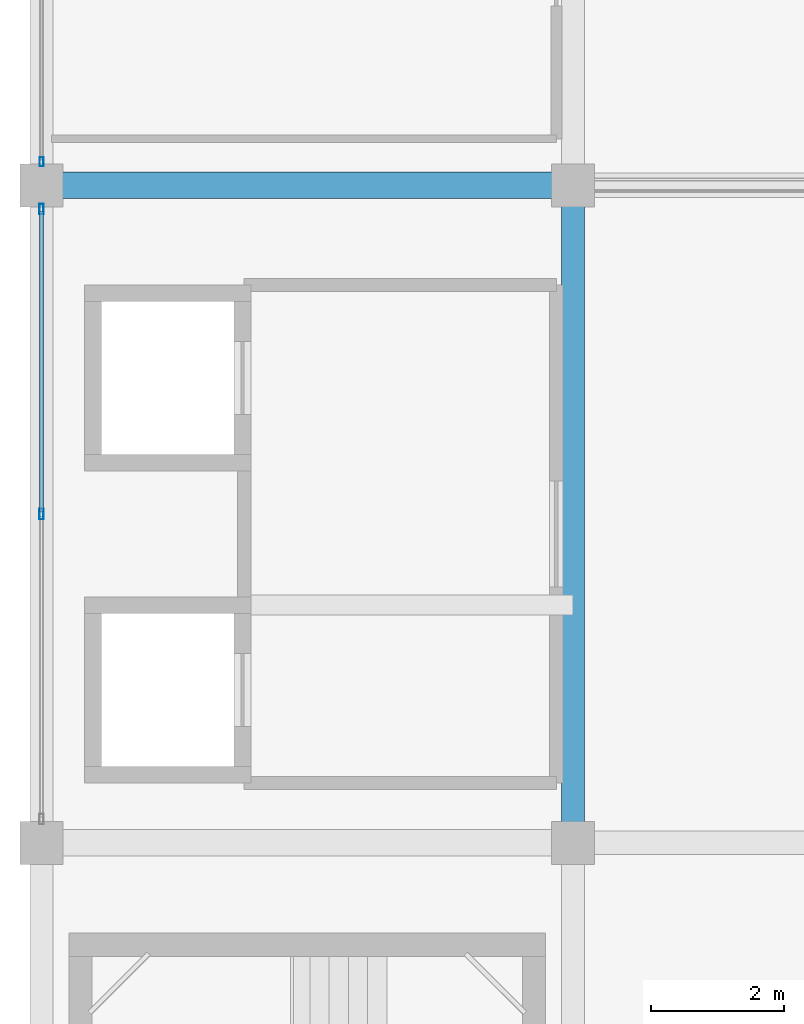
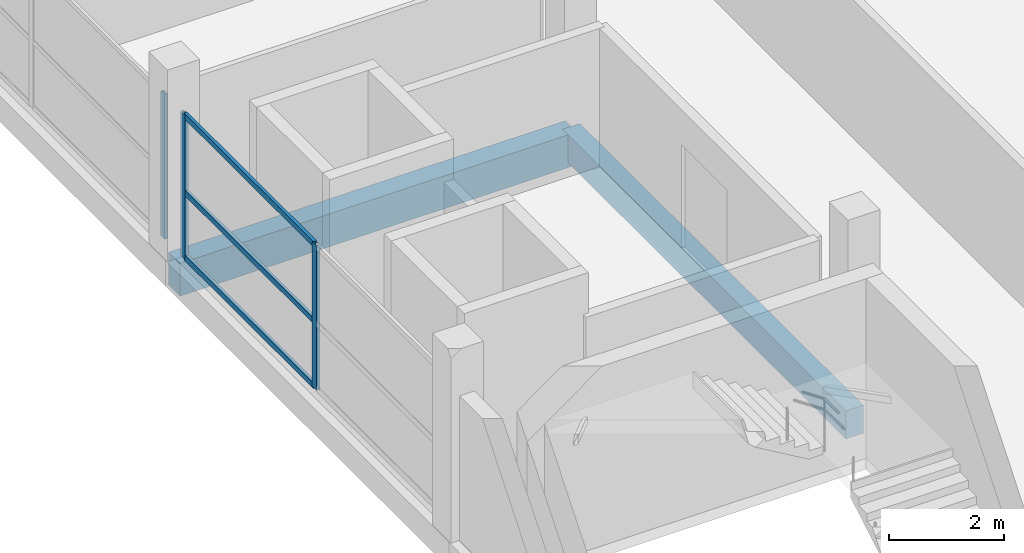
# One storey, part 8 of 70: 6 members, 2 beams, 2 elements without a shape of their own.
"""IFC4 building model written with IfcOpenShell, lengths in metres."""

import ifcopenshell
import ifcopenshell.guid

model = None  # the IFC model being written
_history = None  # IfcOwnerHistory: only IFC2X3 demands one
_inside = {}  # id of a spatial element -> (the spatial element, [elements in it])
_under = {}  # id of a project, library or spatial element -> (it, [spatial elements below it])
_declared = {}  # id of a project -> (the project, [libraries it declares])
_typed = {}  # id of a type object -> (the type object, [elements of that type])
_made_of = {}  # id of a material, layer set ... -> (it, [elements and type objects made of it])


def new_model(schema):
    """Start an empty IFC model of exactly this schema.

    Asked for "IFC4X3", IfcOpenShell would pick the latest addendum, in which some entities
    have other attributes; the version numbers below select the first issue.
    IFC2X3 requires an IfcOwnerHistory on every rooted entity: one is made here for all.
    """
    global model, _history
    if schema == "IFC4X3":
        model = ifcopenshell.file(schema_version=(4, 3, 0, 0))
    else:
        model = ifcopenshell.file(schema=schema)
    _inside.clear()
    _under.clear()
    _declared.clear()
    _typed.clear()
    _made_of.clear()
    _history = None
    if model.schema == "IFC2X3":
        org = make("IfcOrganization", Name="unknown")
        user = make(
            "IfcPersonAndOrganization",
            ThePerson=make("IfcPerson", FamilyName="unknown"),
            TheOrganization=org,
        )
        app = make(
            "IfcApplication",
            ApplicationDeveloper=org,
            Version="unknown",
            ApplicationFullName="unknown",
            ApplicationIdentifier="unknown",
        )
        _history = make(
            "IfcOwnerHistory",
            OwningUser=user,
            OwningApplication=app,
            ChangeAction="ADDED",
            CreationDate=0,
        )
    return model


def make(cls, **values):
    """One entity of the class cls with the attributes given. An attribute that is None is left unset."""
    return model.create_entity(
        cls, **{name: value for name, value in values.items() if value is not None}
    )


def rooted(cls, **values):
    """An entity with a GlobalId (a new one), such as an element, a storey or a relation."""
    return make(cls, GlobalId=ifcopenshell.guid.new(), OwnerHistory=_history, **values)


def si_unit(unit_type, name, prefix=None):
    """IfcSIUnit, for example si_unit("LENGTHUNIT", "METRE", prefix="MILLI")."""
    return make("IfcSIUnit", UnitType=unit_type, Prefix=prefix, Name=name)


def assignment(units):
    """IfcUnitAssignment: the units of a project."""
    return None if units is None else make("IfcUnitAssignment", Units=units)


def point(xyz):
    """IfcCartesianPoint."""
    return None if xyz is None else make("IfcCartesianPoint", Coordinates=xyz)


def direction(xyz):
    """IfcDirection."""
    return None if xyz is None else make("IfcDirection", DirectionRatios=xyz)


def frame(location, z_axis=None, x_axis=None):
    """IfcAxis2Placement3D, a coordinate frame: its origin and axes. An axis left out is left unset."""
    return make(
        "IfcAxis2Placement3D",
        Location=point(location),
        Axis=direction(z_axis),
        RefDirection=direction(x_axis),
    )


def frame_2d(location, x_axis=None):
    """IfcAxis2Placement2D, a coordinate frame in the plane: its origin and x axis."""
    return make(
        "IfcAxis2Placement2D", Location=point(location), RefDirection=direction(x_axis)
    )


def origin():
    """The frame at (0, 0, 0) with its axes left unset."""
    return frame((0.0, 0.0, 0.0))


def origin_2d():
    """The frame at (0, 0) in the plane with its x axis left unset."""
    return frame_2d((0.0, 0.0))


def place(relative_to, where):
    """IfcLocalPlacement: puts the frame where relative to a parent placement (None: the world)."""
    return make(
        "IfcLocalPlacement", PlacementRelTo=relative_to, RelativePlacement=where
    )


def context(
    kind, dimensions, precision=None, world=None, true_north=None, identifier=None
):
    """IfcGeometricRepresentationContext, for example the 3D "Model" context."""
    return make(
        "IfcGeometricRepresentationContext",
        ContextIdentifier=identifier,
        ContextType=kind,
        CoordinateSpaceDimension=dimensions,
        Precision=precision,
        WorldCoordinateSystem=world,
        TrueNorth=true_north,
    )


def subcontext(parent, identifier, kind, view, scale=None):
    """IfcGeometricRepresentationSubContext, for example "Body" below "Model"."""
    return make(
        "IfcGeometricRepresentationSubContext",
        ContextIdentifier=identifier,
        ContextType=kind,
        ParentContext=parent,
        TargetScale=scale,
        TargetView=view,
    )


def project(units=None, contexts=None):
    """IfcProject with its units and contexts."""
    return rooted(
        "IfcProject",
        Name="project",
        RepresentationContexts=contexts,
        UnitsInContext=assignment(units),
    )


def spatial(cls, under=None, at=None, **own):
    """A site, building, storey or space (cls), placed at a placement, below another one or the project."""
    s = rooted(cls, ObjectPlacement=at, **own)
    if under is not None:
        _under.setdefault(under.id(), (under, []))[1].append(s)
    return s


def profile(cls, at=None, kind="AREA", **sizes):
    """A parametric profile (cls). Its sizes go by their IFC names, for example OverallWidth=200.0."""
    return make(cls, ProfileType=kind, Position=at, **sizes)


def rectangle(**sizes):
    """IfcRectangleProfileDef."""
    return profile("IfcRectangleProfileDef", **sizes)


def hollow_rectangle(**sizes):
    """IfcRectangleHollowProfileDef."""
    return profile("IfcRectangleHollowProfileDef", **sizes)


def extrude(swept, where, along, depth):
    """IfcExtrudedAreaSolid: the profile swept, set in the frame where, extruded along a direction by depth."""
    return make(
        "IfcExtrudedAreaSolid",
        SweptArea=swept,
        Position=where,
        ExtrudedDirection=direction(along),
        Depth=depth,
    )


def shape(context_of_items, identifier, shape_type, items):
    """IfcShapeRepresentation: the items that make up one representation, for example the "Body"."""
    return make(
        "IfcShapeRepresentation",
        ContextOfItems=context_of_items,
        RepresentationIdentifier=identifier,
        RepresentationType=shape_type,
        Items=items,
    )


def material(Name=None, Category=None):
    """IfcMaterial."""
    return make("IfcMaterial", Name=Name, Category=Category)


def layer(
    of_material, thickness, ventilated=None, Name=None, Category=None, Priority=None
):
    """IfcMaterialLayer: one layer of a wall or slab, of a material (None: an air gap)."""
    return make(
        "IfcMaterialLayer",
        Material=of_material,
        LayerThickness=thickness,
        IsVentilated=ventilated,
        Name=Name,
        Category=Category,
        Priority=Priority,
    )


def layer_set(layers, Name=None):
    """IfcMaterialLayerSet."""
    return make("IfcMaterialLayerSet", MaterialLayers=layers, LayerSetName=Name)


def material_profile(
    of_material, cross_section, Name=None, Category=None, Priority=None
):
    """IfcMaterialProfile: a cross section and its material."""
    return make(
        "IfcMaterialProfile",
        Name=Name,
        Material=of_material,
        Profile=cross_section,
        Priority=Priority,
        Category=Category,
    )


def profile_set(profiles, Name=None, composite=None):
    """IfcMaterialProfileSet."""
    return make(
        "IfcMaterialProfileSet",
        Name=Name,
        MaterialProfiles=profiles,
        CompositeProfile=composite,
    )


def made_of(thing, what):
    """Note that an element or type object is made of a material, layer set ...; save() writes the relation."""
    if what is not None:
        _made_of.setdefault(what.id(), (what, []))[1].append(thing)
    return thing


def type_object(cls, material=None, **own):
    """A type object (cls), such as IfcWallType, which elements share."""
    return made_of(rooted(cls, **own), material)


def element(
    cls,
    number,
    at=None,
    inside=None,
    cuts=None,
    type_object=None,
    material=None,
    context=None,
    identifier="Body",
    shape_type=None,
    held_by="IfcProductDefinitionShape",
    body=None,
    shapes=None,
    **own,
):
    """One element of the class cls, such as IfcWall. Its Tag is "e" and its number.

    at: its placement. inside: the storey or other place that contains it. cuts: it is an
    opening in that element (IfcRelVoidsElement). A single representation is given by context,
    identifier, shape_type and body (its items); several are given by shapes. held_by: the class
    of the entity that holds the representations. save() writes the other relations.
    """
    e = rooted(cls, Tag="e%d" % number, ObjectPlacement=at, **own)
    if body is not None:
        shapes = [shape(context, identifier, shape_type, body)]
    if shapes is not None:
        e.Representation = make(held_by, Representations=shapes)
    if inside is not None:
        _inside.setdefault(inside.id(), (inside, []))[1].append(e)
    if cuts is not None:
        rooted(
            "IfcRelVoidsElement", RelatingBuildingElement=cuts, RelatedOpeningElement=e
        )
    if type_object is not None:
        _typed.setdefault(type_object.id(), (type_object, []))[1].append(e)
    return made_of(e, material)


def aggregate(whole, parts):
    """IfcRelAggregates: a whole, such as a stair, and the parts it consists of."""
    return rooted("IfcRelAggregates", RelatingObject=whole, RelatedObjects=parts)


def save(model, path):
    """Write the relations noted so far, then the file.

    IfcRelAggregates (storeys below a building ...), IfcRelContainedInSpatialStructure (elements
    in a storey), IfcRelDefinesByType, IfcRelAssociatesMaterial and IfcRelDeclares: one each for
    every whole, place, type object, material and project.
    """
    for whole, parts in _under.values():
        aggregate(whole, parts)
    for where, things in _inside.values():
        rooted(
            "IfcRelContainedInSpatialStructure",
            RelatedElements=things,
            RelatingStructure=where,
        )
    for kind, things in _typed.values():
        rooted("IfcRelDefinesByType", RelatedObjects=things, RelatingType=kind)
    for what, things in _made_of.values():
        rooted("IfcRelAssociatesMaterial", RelatedObjects=things, RelatingMaterial=what)
    for by, libraries in _declared.values():
        rooted("IfcRelDeclares", RelatingContext=by, RelatedDefinitions=libraries)
    model.write(path)


model = new_model("IFC4")

# Units and contexts
model_context = context("Model", 3, precision=1e-05, world=origin(), true_north=direction((0.0, 1.0)))
body_context = subcontext(model_context, "Body", "Model", "MODEL_VIEW")
ifc_project = project(units=[si_unit("LENGTHUNIT", "METRE"), si_unit("AREAUNIT", "SQUARE_METRE"), si_unit("VOLUMEUNIT", "CUBIC_METRE"), si_unit("PLANEANGLEUNIT", "RADIAN"), si_unit("MASSUNIT", "GRAM", prefix="KILO")], contexts=[model_context])

# Site, building, storey
site_placement = place(None, origin())
site = spatial("IfcSite", under=ifc_project, at=site_placement, CompositionType="ELEMENT")
building_placement = place(site_placement, origin())
building = spatial("IfcBuilding", under=site, at=building_placement, Name="Sillaruma Civic Art Gallery", CompositionType="ELEMENT")
storey_placement = place(building_placement, frame((0.0, 0.0, 66.300048828125)))
storey = spatial("IfcBuildingStorey", under=building, at=storey_placement, Name="L13", CompositionType="ELEMENT", Elevation=66.300048828125)

# Beams
ifc_material_1 = material(Name="Concrete H35 (35 MPa)", Category="concrete")
ifc_material_profile_1 = material_profile(ifc_material_1, rectangle(XDim=0.35009765625, YDim=0.60009765625, at=origin_2d()), Name="RCB350x600")
ifc_profile_set_1 = profile_set([ifc_material_profile_1], Name="Concrete H35 (35 MPa)")
beam_type_1 = type_object("IfcBeamType", Name="BM-BEAM-RCB350x600", PredefinedType="BEAM", material=ifc_profile_set_1)
beam_1_placement = place(storey_placement, frame((70.0, 39.60009765625, -0.530029296875), z_axis=(0.0, 1.0, 0.0), x_axis=(-1.0, 0.0, 0.0)))
element("IfcBeam", 1, at=beam_1_placement, inside=storey, type_object=beam_type_1, Name="Beam BM-06 (L12:G:5-6)", PredefinedType="BEAM", context=body_context, shape_type="SweptSolid", body=[
    extrude(rectangle(XDim=0.35009765625, YDim=0.60009765625, at=origin_2d()), origin(), (0.0, 0.0, 1.0), 9.89990234375),
])
ifc_material_profile_2 = material_profile(ifc_material_1, rectangle(XDim=0.39990234375, YDim=0.699951171875, at=origin_2d()), Name="RCB400x700")
ifc_profile_set_2 = profile_set([ifc_material_profile_2], Name="Concrete H35 (35 MPa)")
beam_type_2 = type_object("IfcBeamType", Name="BM-BEAM-RCB400x700", PredefinedType="BEAM", material=ifc_profile_set_2)
beam_2_placement = place(storey_placement, frame((62.0, 49.5, -0.580078125), z_axis=(1.0, 0.0, 0.0), x_axis=(0.0, 1.0, 0.0)))
element("IfcBeam", 2, at=beam_2_placement, inside=storey, type_object=beam_type_2, Name="Beam BM-04 (L12:6:F-G)", PredefinedType="BEAM", context=body_context, shape_type="SweptSolid", body=[
    extrude(rectangle(XDim=0.39990234375, YDim=0.699951171875, at=origin_2d()), origin(), (0.0, 0.0, 1.0), 8.0),
])

# Curtain wall, member
ifc_material_2 = material(Name="Thermally Broken Extruded Aluminium 6063-T6", Category="aluminium")
ifc_layer_1 = layer(ifc_material_2, 0.139892578125, Name="Thermally Broken Extruded Aluminium 6063-T6")
ifc_layer_set_1 = layer_set([ifc_layer_1], Name="Thermally Broken Extruded Aluminium 6063-T6")
curtain_wall_type_1 = type_object("IfcCurtainWallType", Name="CW-UNI-93", PredefinedType="NOTDEFINED", material=ifc_layer_set_1)
curtain_wall_1_placement = place(storey_placement, origin())
curtain_wall_1 = element("IfcCurtainWall", 3, at=curtain_wall_1_placement, inside=storey, type_object=curtain_wall_type_1, Name="Unitised Curtain Wall CW-93 (CW-L13-WBW-4)", PredefinedType="NOTDEFINED")
ifc_material_profile_3 = material_profile(ifc_material_2, hollow_rectangle(XDim=0.06005859375, YDim=0.139892578125, WallThickness=0.00341796875, at=origin_2d()), Name="CWM60x140")
ifc_profile_set_3 = profile_set([ifc_material_profile_3], Name="Thermally Broken Extruded Aluminium 6063-T6")
member_type_1 = type_object("IfcMemberType", Name="MEM-MUL-CWM60x140", PredefinedType="MULLION", material=ifc_profile_set_3)
member_1_placement = place(storey_placement, frame((62.0, 49.85498046875, 0.0), z_axis=(0.0, 0.0, 1.0), x_axis=(-1.0, 0.0, 0.0)))
member_1 = element("IfcMember", 4, at=member_1_placement, type_object=member_type_1, Name="CW-93 mullion 1", PredefinedType="MULLION", context=body_context, shape_type="SweptSolid", body=[
    extrude(hollow_rectangle(XDim=0.06005859375, YDim=0.139892578125, WallThickness=0.00341796875, at=origin_2d()), origin(), (0.0, 0.0, 1.0), 3.079833984375),
])
aggregate(curtain_wall_1, [member_1])

# Curtain wall, members
ifc_layer_2 = layer(ifc_material_2, 0.159912109375, Name="Thermally Broken Extruded Aluminium 6063-T6")
ifc_layer_set_2 = layer_set([ifc_layer_2], Name="Thermally Broken Extruded Aluminium 6063-T6")
curtain_wall_type_2 = type_object("IfcCurtainWallType", Name="CW-UNI-91", PredefinedType="NOTDEFINED", material=ifc_layer_set_2)
curtain_wall_2_placement = place(storey_placement, origin())
curtain_wall_2 = element("IfcCurtainWall", 5, at=curtain_wall_2_placement, inside=storey, type_object=curtain_wall_type_2, Name="Unitised Curtain Wall CW-91 (CW-L13-WBW-3)", PredefinedType="NOTDEFINED")
ifc_material_profile_4 = material_profile(ifc_material_2, hollow_rectangle(XDim=0.06494140625, YDim=0.159912109375, WallThickness=0.00390625, at=origin_2d()), Name="CWM65x160")
ifc_profile_set_4 = profile_set([ifc_material_profile_4], Name="Thermally Broken Extruded Aluminium 6063-T6")
member_type_2 = type_object("IfcMemberType", Name="MEM-MUL-CWM65x160", PredefinedType="MULLION", material=ifc_profile_set_4)
member_2_placement = place(storey_placement, frame((62.0, 44.550048828125, 0.0), z_axis=(0.0, 0.0, 1.0), x_axis=(-1.0, 0.0, 0.0)))
member_2 = element("IfcMember", 6, at=member_2_placement, type_object=member_type_2, Name="CW-91 mullion 2", PredefinedType="MULLION", context=body_context, shape_type="SweptSolid", body=[
    extrude(hollow_rectangle(XDim=0.06494140625, YDim=0.159912109375, WallThickness=0.00390625, at=origin_2d()), origin(), (0.0, 0.0, 1.0), 3.079833984375),
])
member_3_placement = place(storey_placement, frame((62.0, 49.142578125, 0.0), z_axis=(0.0, 0.0, 1.0), x_axis=(-1.0, 0.0, 0.0)))
member_3 = element("IfcMember", 7, at=member_3_placement, type_object=member_type_2, Name="CW-91 mullion 3", PredefinedType="MULLION", context=body_context, shape_type="SweptSolid", body=[
    extrude(hollow_rectangle(XDim=0.06494140625, YDim=0.159912109375, WallThickness=0.00390625, at=origin_2d()), origin(), (0.0, 0.0, 1.0), 3.079833984375),
])
ifc_material_profile_5 = material_profile(ifc_material_2, hollow_rectangle(XDim=0.06494140625, YDim=0.1201171875, WallThickness=0.00341796875, at=origin_2d()), Name="CWT65x120")
ifc_profile_set_5 = profile_set([ifc_material_profile_5], Name="Thermally Broken Extruded Aluminium 6063-T6")
member_type_3 = type_object("IfcMemberType", Name="MEM-TRN-CWT65x120", PredefinedType="USERDEFINED", material=ifc_profile_set_5)
member_4_placement = place(storey_placement, frame((62.0, 44.58251953125, 0.032470703125), z_axis=(0.0, 1.0, 0.0), x_axis=(-1.0, 0.0, 0.0)))
member_4 = element("IfcMember", 8, at=member_4_placement, type_object=member_type_3, Name="CW-91 transom 2.1", ObjectType="TRANSOM", PredefinedType="USERDEFINED", context=body_context, shape_type="SweptSolid", body=[
    extrude(hollow_rectangle(XDim=0.06494140625, YDim=0.1201171875, WallThickness=0.00341796875, at=origin_2d()), origin(), (0.0, 0.0, 1.0), 4.527587890625),
])
member_5_placement = place(storey_placement, frame((62.0, 44.58251953125, 1.416748046875), z_axis=(0.0, 1.0, 0.0), x_axis=(-1.0, 0.0, 0.0)))
member_5 = element("IfcMember", 9, at=member_5_placement, type_object=member_type_3, Name="CW-91 transom 2.2", ObjectType="TRANSOM", PredefinedType="USERDEFINED", context=body_context, shape_type="SweptSolid", body=[
    extrude(hollow_rectangle(XDim=0.06494140625, YDim=0.1201171875, WallThickness=0.00341796875, at=origin_2d()), origin(), (0.0, 0.0, 1.0), 4.527587890625),
])
member_6_placement = place(storey_placement, frame((62.0, 44.58251953125, 3.04736328125), z_axis=(0.0, 1.0, 0.0), x_axis=(-1.0, 0.0, 0.0)))
member_6 = element("IfcMember", 10, at=member_6_placement, type_object=member_type_3, Name="CW-91 transom 2.3", ObjectType="TRANSOM", PredefinedType="USERDEFINED", context=body_context, shape_type="SweptSolid", body=[
    extrude(hollow_rectangle(XDim=0.06494140625, YDim=0.1201171875, WallThickness=0.00341796875, at=origin_2d()), origin(), (0.0, 0.0, 1.0), 4.527587890625),
])
aggregate(curtain_wall_2, [member_2, member_3, member_4, member_5, member_6])

save(model, "model.ifc")
